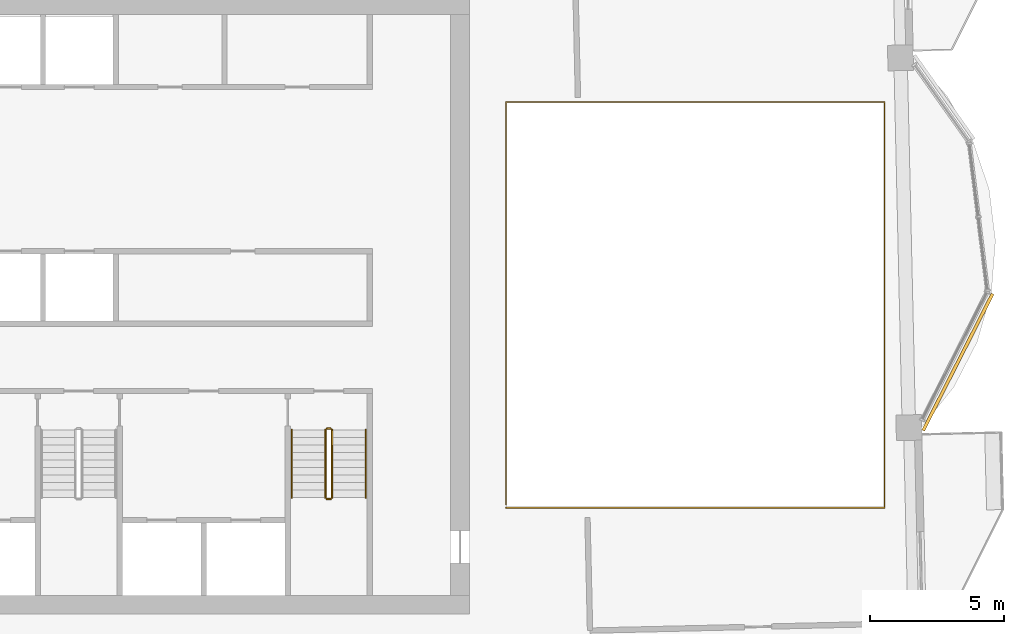
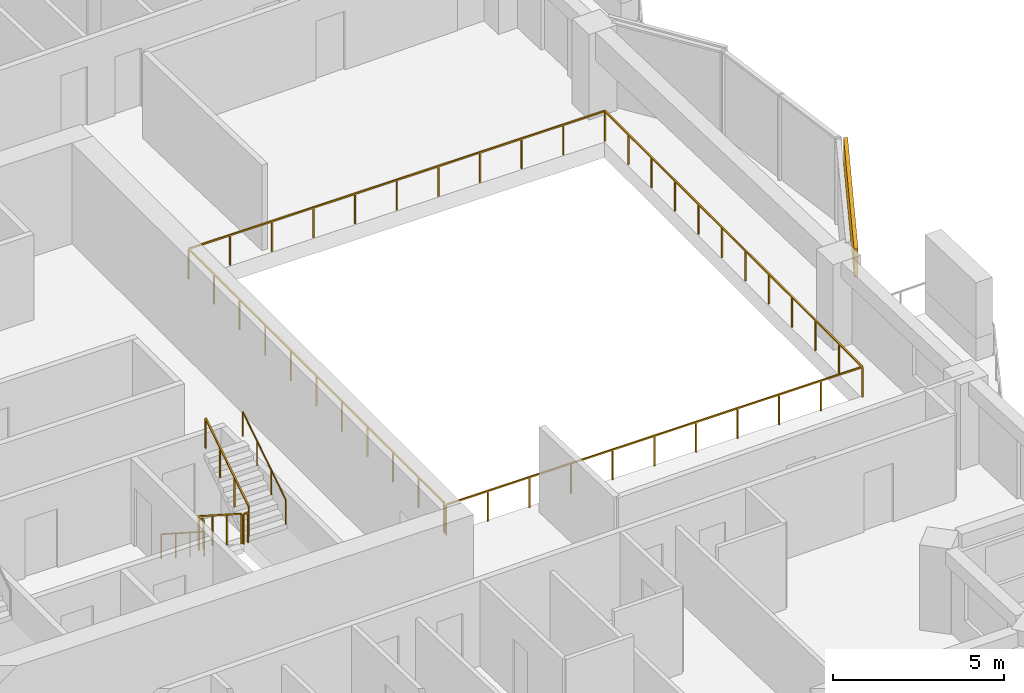
# One storey, part 17 of 18: 7 railings, 1 covering.
"""IFC4 building model written with IfcOpenShell, lengths in metres."""

from ifc_helpers import new_model, si_unit, direction, frame, frame_2d, origin, origin_2d, place, context, subcontext, project, spatial, rectangle, circle, extrude, material, layer, layer_set, type_object, element, save


model = new_model("IFC4")

# Units and contexts
model_context = context("Model", 3, precision=1e-05, world=origin(), true_north=direction((0.0, 1.0)))
body_context = subcontext(model_context, "Body", "Model", "MODEL_VIEW")
ifc_project = project(units=[si_unit("LENGTHUNIT", "METRE"), si_unit("AREAUNIT", "SQUARE_METRE"), si_unit("VOLUMEUNIT", "CUBIC_METRE"), si_unit("PLANEANGLEUNIT", "RADIAN"), si_unit("MASSUNIT", "GRAM", prefix="KILO")], contexts=[model_context])

# Site, building, storey
site_placement = place(None, origin())
site = spatial("IfcSite", under=ifc_project, at=site_placement, CompositionType="ELEMENT")
building_placement = place(site_placement, origin())
building = spatial("IfcBuilding", under=site, at=building_placement, Name="Mangrove Gate Tower", CompositionType="ELEMENT")
storey_placement = place(building_placement, frame((0.0, 0.0, 290.699951171875)))
storey = spatial("IfcBuildingStorey", under=building, at=storey_placement, Name="L74", CompositionType="ELEMENT", Elevation=290.699951171875)

# Railings
ifc_material_1 = material(Name="Stainless steel grade 316 with laminated glass infill", Category="steel")
railing_type_1 = type_object("IfcRailingType", Name="Balcony guard 1100", PredefinedType="GUARDRAIL", material=ifc_material_1)
railing_1_placement = place(storey_placement, frame((15.860107421875, -7.5400390625, 0.0)))
element("IfcRailing", 1, at=railing_1_placement, inside=storey, type_object=railing_type_1, Name="GUARD L74 atrium", PredefinedType="GUARDRAIL", context=body_context, shape_type="SweptSolid", body=[
    extrude(rectangle(XDim=0.048095703125, YDim=0.048095703125, at=origin_2d()), frame((0.0, 0.0, 1.076171875), z_axis=(1.0, 0.0, 0.0), x_axis=(0.0, 1.0, 0.0)), (0.0, 0.0, 1.0), 14.06982421875),
    extrude(rectangle(XDim=0.048095703125, YDim=0.048095703125, at=origin_2d()), frame((14.06982421875, 0.0, 1.076171875), z_axis=(0.0, 1.0, 0.0), x_axis=(-1.0, 0.0, 0.0)), (0.0, 0.0, 1.0), 15.080078125),
    extrude(rectangle(XDim=0.048095703125, YDim=0.048095703125, at=origin_2d()), frame((14.06982421875, 15.080078125, 1.076171875), z_axis=(-1.0, 0.0, 0.0), x_axis=(0.0, -1.0, 0.0)), (0.0, 0.0, 1.0), 14.06982421875),
    extrude(rectangle(XDim=0.048095703125, YDim=0.048095703125, at=origin_2d()), frame((0.0, 15.080078125, 1.076171875), z_axis=(0.0, -1.0, 0.0), x_axis=(1.0, 0.0, 0.0)), (0.0, 0.0, 1.0), 14.9599609375),
    extrude(rectangle(XDim=0.0419921875, YDim=0.0419921875, at=origin_2d()), origin(), (0.0, 0.0, 1.0), 1.052001953125),
    extrude(rectangle(XDim=0.0419921875, YDim=0.0419921875, at=origin_2d()), frame((1.406982421875, 0.0, 0.0)), (0.0, 0.0, 1.0), 1.052001953125),
    extrude(rectangle(XDim=0.0419921875, YDim=0.0419921875, at=origin_2d()), frame((2.81396484375, 0.0, 0.0)), (0.0, 0.0, 1.0), 1.052001953125),
    extrude(rectangle(XDim=0.0419921875, YDim=0.0419921875, at=origin_2d()), frame((4.220947265625, 0.0, 0.0)), (0.0, 0.0, 1.0), 1.052001953125),
    extrude(rectangle(XDim=0.0419921875, YDim=0.0419921875, at=origin_2d()), frame((5.6279296875, 0.0, 0.0)), (0.0, 0.0, 1.0), 1.052001953125),
    extrude(rectangle(XDim=0.0419921875, YDim=0.0419921875, at=origin_2d()), frame((7.034912109375, 0.0, 0.0)), (0.0, 0.0, 1.0), 1.052001953125),
    extrude(rectangle(XDim=0.0419921875, YDim=0.0419921875, at=origin_2d()), frame((8.44189453125, 0.0, 0.0)), (0.0, 0.0, 1.0), 1.052001953125),
    extrude(rectangle(XDim=0.0419921875, YDim=0.0419921875, at=origin_2d()), frame((9.848876953125, 0.0, 0.0)), (0.0, 0.0, 1.0), 1.052001953125),
    extrude(rectangle(XDim=0.0419921875, YDim=0.0419921875, at=origin_2d()), frame((11.255859375, 0.0, 0.0)), (0.0, 0.0, 1.0), 1.052001953125),
    extrude(rectangle(XDim=0.0419921875, YDim=0.0419921875, at=origin_2d()), frame((12.662841796875, 0.0, 0.0)), (0.0, 0.0, 1.0), 1.052001953125),
    extrude(rectangle(XDim=0.0419921875, YDim=0.0419921875, at=origin_2d()), frame((14.06982421875, 0.0, 0.0)), (0.0, 0.0, 1.0), 1.052001953125),
    extrude(rectangle(XDim=0.0419921875, YDim=0.0419921875, at=origin_2d()), frame((14.06982421875, 1.370849609375, 0.0)), (0.0, 0.0, 1.0), 1.052001953125),
    extrude(rectangle(XDim=0.0419921875, YDim=0.0419921875, at=origin_2d()), frame((14.06982421875, 2.741943359375, 0.0)), (0.0, 0.0, 1.0), 1.052001953125),
    extrude(rectangle(XDim=0.0419921875, YDim=0.0419921875, at=origin_2d()), frame((14.06982421875, 4.11279296875, 0.0)), (0.0, 0.0, 1.0), 1.052001953125),
    extrude(rectangle(XDim=0.0419921875, YDim=0.0419921875, at=origin_2d()), frame((14.06982421875, 5.483642578125, 0.0)), (0.0, 0.0, 1.0), 1.052001953125),
    extrude(rectangle(XDim=0.0419921875, YDim=0.0419921875, at=origin_2d()), frame((14.06982421875, 6.8544921875, 0.0)), (0.0, 0.0, 1.0), 1.052001953125),
    extrude(rectangle(XDim=0.0419921875, YDim=0.0419921875, at=origin_2d()), frame((14.06982421875, 8.2255859375, 0.0)), (0.0, 0.0, 1.0), 1.052001953125),
    extrude(rectangle(XDim=0.0419921875, YDim=0.0419921875, at=origin_2d()), frame((14.06982421875, 9.596435546875, 0.0)), (0.0, 0.0, 1.0), 1.052001953125),
    extrude(rectangle(XDim=0.0419921875, YDim=0.0419921875, at=origin_2d()), frame((14.06982421875, 10.96728515625, 0.0)), (0.0, 0.0, 1.0), 1.052001953125),
    extrude(rectangle(XDim=0.0419921875, YDim=0.0419921875, at=origin_2d()), frame((14.06982421875, 12.338134765625, 0.0)), (0.0, 0.0, 1.0), 1.052001953125),
    extrude(rectangle(XDim=0.0419921875, YDim=0.0419921875, at=origin_2d()), frame((14.06982421875, 13.709228515625, 0.0)), (0.0, 0.0, 1.0), 1.052001953125),
    extrude(rectangle(XDim=0.0419921875, YDim=0.0419921875, at=origin_2d()), frame((14.06982421875, 15.080078125, 0.0)), (0.0, 0.0, 1.0), 1.052001953125),
    extrude(rectangle(XDim=0.0419921875, YDim=0.0419921875, at=origin_2d()), frame((12.662841796875, 15.080078125, 0.0)), (0.0, 0.0, 1.0), 1.052001953125),
    extrude(rectangle(XDim=0.0419921875, YDim=0.0419921875, at=origin_2d()), frame((11.255859375, 15.080078125, 0.0)), (0.0, 0.0, 1.0), 1.052001953125),
    extrude(rectangle(XDim=0.0419921875, YDim=0.0419921875, at=origin_2d()), frame((9.848876953125, 15.080078125, 0.0)), (0.0, 0.0, 1.0), 1.052001953125),
    extrude(rectangle(XDim=0.0419921875, YDim=0.0419921875, at=origin_2d()), frame((8.44189453125, 15.080078125, 0.0)), (0.0, 0.0, 1.0), 1.052001953125),
    extrude(rectangle(XDim=0.0419921875, YDim=0.0419921875, at=origin_2d()), frame((7.034912109375, 15.080078125, 0.0)), (0.0, 0.0, 1.0), 1.052001953125),
    extrude(rectangle(XDim=0.0419921875, YDim=0.0419921875, at=origin_2d()), frame((5.6279296875, 15.080078125, 0.0)), (0.0, 0.0, 1.0), 1.052001953125),
    extrude(rectangle(XDim=0.0419921875, YDim=0.0419921875, at=origin_2d()), frame((4.220947265625, 15.080078125, 0.0)), (0.0, 0.0, 1.0), 1.052001953125),
    extrude(rectangle(XDim=0.0419921875, YDim=0.0419921875, at=origin_2d()), frame((2.81396484375, 15.080078125, 0.0)), (0.0, 0.0, 1.0), 1.052001953125),
    extrude(rectangle(XDim=0.0419921875, YDim=0.0419921875, at=origin_2d()), frame((1.406982421875, 15.080078125, 0.0)), (0.0, 0.0, 1.0), 1.052001953125),
    extrude(rectangle(XDim=0.0419921875, YDim=0.0419921875, at=origin_2d()), frame((0.0, 15.080078125, 0.0)), (0.0, 0.0, 1.0), 1.052001953125),
    extrude(rectangle(XDim=0.0419921875, YDim=0.0419921875, at=origin_2d()), frame((0.0, 13.583984375, 0.0)), (0.0, 0.0, 1.0), 1.052001953125),
    extrude(rectangle(XDim=0.0419921875, YDim=0.0419921875, at=origin_2d()), frame((0.0, 12.088134765625, 0.0)), (0.0, 0.0, 1.0), 1.052001953125),
    extrude(rectangle(XDim=0.0419921875, YDim=0.0419921875, at=origin_2d()), frame((0.0, 10.592041015625, 0.0)), (0.0, 0.0, 1.0), 1.052001953125),
    extrude(rectangle(XDim=0.0419921875, YDim=0.0419921875, at=origin_2d()), frame((0.0, 9.09619140625, 0.0)), (0.0, 0.0, 1.0), 1.052001953125),
    extrude(rectangle(XDim=0.0419921875, YDim=0.0419921875, at=origin_2d()), frame((0.0, 7.60009765625, 0.0)), (0.0, 0.0, 1.0), 1.052001953125),
    extrude(rectangle(XDim=0.0419921875, YDim=0.0419921875, at=origin_2d()), frame((0.0, 6.10400390625, 0.0)), (0.0, 0.0, 1.0), 1.052001953125),
    extrude(rectangle(XDim=0.0419921875, YDim=0.0419921875, at=origin_2d()), frame((0.0, 4.608154296875, 0.0)), (0.0, 0.0, 1.0), 1.052001953125),
    extrude(rectangle(XDim=0.0419921875, YDim=0.0419921875, at=origin_2d()), frame((0.0, 3.112060546875, 0.0)), (0.0, 0.0, 1.0), 1.052001953125),
    extrude(rectangle(XDim=0.0419921875, YDim=0.0419921875, at=origin_2d()), frame((0.0, 1.6162109375, 0.0)), (0.0, 0.0, 1.0), 1.052001953125),
    extrude(rectangle(XDim=0.0419921875, YDim=0.0419921875, at=origin_2d()), frame((0.0, 0.1201171875, 0.0)), (0.0, 0.0, 1.0), 1.052001953125),
])
ifc_material_2 = material(Name="Stainless steel 316", Category="steel")
railing_type_2 = type_object("IfcRailingType", Name="Core stair guard 1100", PredefinedType="GUARDRAIL", material=ifc_material_2)
railing_2_placement = place(storey_placement, frame((9.14990234375, -4.64990234375, 0.179931640625)))
element("IfcRailing", 2, at=railing_2_placement, inside=storey, type_object=railing_type_2, Name="L74 ST3 stair guard 1", PredefinedType="GUARDRAIL", context=body_context, shape_type="SweptSolid", body=[
    extrude(rectangle(XDim=0.048095703125, YDim=0.048095703125, at=origin_2d()), frame((0.0, 0.0, 1.076171875), z_axis=(0.0, -0.841162588446, 0.540782303519), x_axis=(1.0, 0.0, 0.0)), (0.0, 0.0, 1.0), 2.995849609375),
    extrude(rectangle(XDim=0.0419921875, YDim=0.0419921875, at=origin_2d()), origin(), (0.0, 0.0, 1.0), 1.052001953125),
    extrude(rectangle(XDim=0.0419921875, YDim=0.0419921875, at=origin_2d()), frame((0.0, -0.840087890625, 0.5400390625)), (0.0, 0.0, 1.0), 1.052001953125),
    extrude(rectangle(XDim=0.0419921875, YDim=0.0419921875, at=origin_2d()), frame((0.0, -1.679931640625, 1.080078125)), (0.0, 0.0, 1.0), 1.052001953125),
    extrude(rectangle(XDim=0.0419921875, YDim=0.0419921875, at=origin_2d()), frame((0.0, -2.52001953125, 1.6201171875)), (0.0, 0.0, 1.0), 1.052001953125),
])
railing_3_placement = place(storey_placement, frame((9.199951171875, -7.219970703125, 1.800048828125)))
element("IfcRailing", 3, at=railing_3_placement, inside=storey, type_object=railing_type_2, Name="L74 ST3 stair guard 2", PredefinedType="GUARDRAIL", context=body_context, shape_type="SweptSolid", body=[
    extrude(rectangle(XDim=0.048095703125, YDim=0.048095703125, at=origin_2d()), frame((0.0, 0.0, 1.076171875), z_axis=(1.0, 0.0, 0.0), x_axis=(0.0, 1.0, 0.0)), (0.0, 0.0, 1.0), 0.150146484375),
    extrude(rectangle(XDim=0.0419921875, YDim=0.0419921875, at=origin_2d()), origin(), (0.0, 0.0, 1.0), 1.052001953125),
    extrude(rectangle(XDim=0.0419921875, YDim=0.0419921875, at=origin_2d()), frame((0.150146484375, 0.0, 0.0)), (0.0, 0.0, 1.0), 1.052001953125),
])
railing_4_placement = place(storey_placement, frame((9.39990234375, -7.169921875, 1.97998046875)))
element("IfcRailing", 4, at=railing_4_placement, inside=storey, type_object=railing_type_2, Name="L74 ST3 stair guard 3", PredefinedType="GUARDRAIL", context=body_context, shape_type="SweptSolid", body=[
    extrude(rectangle(XDim=0.048095703125, YDim=0.048095703125, at=origin_2d()), frame((0.0, 0.0, 1.076171875), z_axis=(0.0, 0.841162588446, 0.540782303519), x_axis=(-1.0, 0.0, 0.0)), (0.0, 0.0, 1.0), 2.995849609375),
    extrude(rectangle(XDim=0.0419921875, YDim=0.0419921875, at=origin_2d()), origin(), (0.0, 0.0, 1.0), 1.052001953125),
    extrude(rectangle(XDim=0.0419921875, YDim=0.0419921875, at=origin_2d()), frame((0.0, 0.840087890625, 0.5400390625)), (0.0, 0.0, 1.0), 1.052001953125),
    extrude(rectangle(XDim=0.0419921875, YDim=0.0419921875, at=origin_2d()), frame((0.0, 1.679931640625, 1.080078125)), (0.0, 0.0, 1.0), 1.052001953125),
    extrude(rectangle(XDim=0.0419921875, YDim=0.0419921875, at=origin_2d()), frame((0.0, 2.52001953125, 1.6201171875)), (0.0, 0.0, 1.0), 1.052001953125),
])
railing_5_placement = place(storey_placement, frame((9.199951171875, -4.60009765625, 0.0)))
element("IfcRailing", 5, at=railing_5_placement, inside=storey, type_object=railing_type_2, Name="L74 ST3 stair guard 4", PredefinedType="GUARDRAIL", context=body_context, shape_type="SweptSolid", body=[
    extrude(rectangle(XDim=0.048095703125, YDim=0.048095703125, at=origin_2d()), frame((0.0, 0.0, 1.076171875), z_axis=(1.0, 0.0, 0.0), x_axis=(0.0, 1.0, 0.0)), (0.0, 0.0, 1.0), 0.150146484375),
    extrude(rectangle(XDim=0.0419921875, YDim=0.0419921875, at=origin_2d()), origin(), (0.0, 0.0, 1.0), 1.052001953125),
    extrude(rectangle(XDim=0.0419921875, YDim=0.0419921875, at=origin_2d()), frame((0.150146484375, 0.0, 0.0)), (0.0, 0.0, 1.0), 1.052001953125),
])
ifc_material_3 = material(Name="Stainless steel 316", Category="steel")
railing_type_3 = type_object("IfcRailingType", Name="Core stair handrail 900", PredefinedType="HANDRAIL", material=ifc_material_3)
railing_6_placement = place(storey_placement, frame((7.89990234375, -4.64990234375, 0.179931640625)))
element("IfcRailing", 6, at=railing_6_placement, inside=storey, type_object=railing_type_3, Name="L74 ST3 stair handrail 1", PredefinedType="HANDRAIL", context=body_context, shape_type="SweptSolid", body=[
    extrude(circle(Radius=0.02392578125, at=origin_2d()), frame((0.0, 0.0, 0.8759765625), z_axis=(0.0, -0.841162588446, 0.540782303519), x_axis=(1.0, 0.0, 0.0)), (0.0, 0.0, 1.0), 2.995849609375),
    extrude(circle(Radius=0.02099609375, at=origin_2d()), origin(), (0.0, 0.0, 1.0), 0.851806640625),
    extrude(circle(Radius=0.02099609375, at=origin_2d()), frame((0.0, -0.840087890625, 0.5400390625)), (0.0, 0.0, 1.0), 0.851806640625),
    extrude(circle(Radius=0.02099609375, at=origin_2d()), frame((0.0, -1.679931640625, 1.080078125)), (0.0, 0.0, 1.0), 0.851806640625),
    extrude(circle(Radius=0.02099609375, at=origin_2d()), frame((0.0, -2.52001953125, 1.6201171875)), (0.0, 0.0, 1.0), 0.851806640625),
])
railing_7_placement = place(storey_placement, frame((10.64990234375, -7.169921875, 1.97998046875)))
element("IfcRailing", 7, at=railing_7_placement, inside=storey, type_object=railing_type_3, Name="L74 ST3 stair handrail 2", PredefinedType="HANDRAIL", context=body_context, shape_type="SweptSolid", body=[
    extrude(circle(Radius=0.02392578125, at=origin_2d()), frame((0.0, 0.0, 0.8759765625), z_axis=(0.0, 0.841162588446, 0.540782303519), x_axis=(-1.0, 0.0, 0.0)), (0.0, 0.0, 1.0), 2.995849609375),
    extrude(circle(Radius=0.02099609375, at=origin_2d()), origin(), (0.0, 0.0, 1.0), 0.851806640625),
    extrude(circle(Radius=0.02099609375, at=origin_2d()), frame((0.0, 0.840087890625, 0.5400390625)), (0.0, 0.0, 1.0), 0.851806640625),
    extrude(circle(Radius=0.02099609375, at=origin_2d()), frame((0.0, 1.679931640625, 1.080078125)), (0.0, 0.0, 1.0), 0.851806640625),
    extrude(circle(Radius=0.02099609375, at=origin_2d()), frame((0.0, 2.52001953125, 1.6201171875)), (0.0, 0.0, 1.0), 0.851806640625),
])

# Covering
ifc_material_4 = material(Name="Limestone", Category="masonry")
ifc_layer_1 = layer(ifc_material_4, 0.0400390625, Name="Limestone cladding")
ifc_material_5 = material(Name="Stainless steel anchors and cavity", Category="steel")
ifc_layer_2 = layer(ifc_material_5, 0.080078125, Name="Fixing cavity")
ifc_layer_set = layer_set([ifc_layer_1, ifc_layer_2], Name="Joint fascia cladding 120")
covering_type = type_object("IfcCoveringType", Name="Joint fascia cladding 120", PredefinedType="CLADDING", material=ifc_layer_set)
covering_placement = place(storey_placement, frame((31.36962890625, -4.674560546875, 2.050048828125), z_axis=(0.0, 0.0, 1.0), x_axis=(0.452616431896, 0.891705313194, 0.0)))
element("IfcCovering", 8, at=covering_placement, inside=storey, type_object=covering_type, Name="STONE FASCIA L74 E1.L1", PredefinedType="CLADDING", context=body_context, shape_type="SweptSolid", body=[
    extrude(rectangle(XDim=5.703125, YDim=0.1201171875, at=frame_2d((2.8515625, 0.0))), origin(), (0.0, 0.0, 1.0), 1.0),
])

save(model, "model.ifc")
